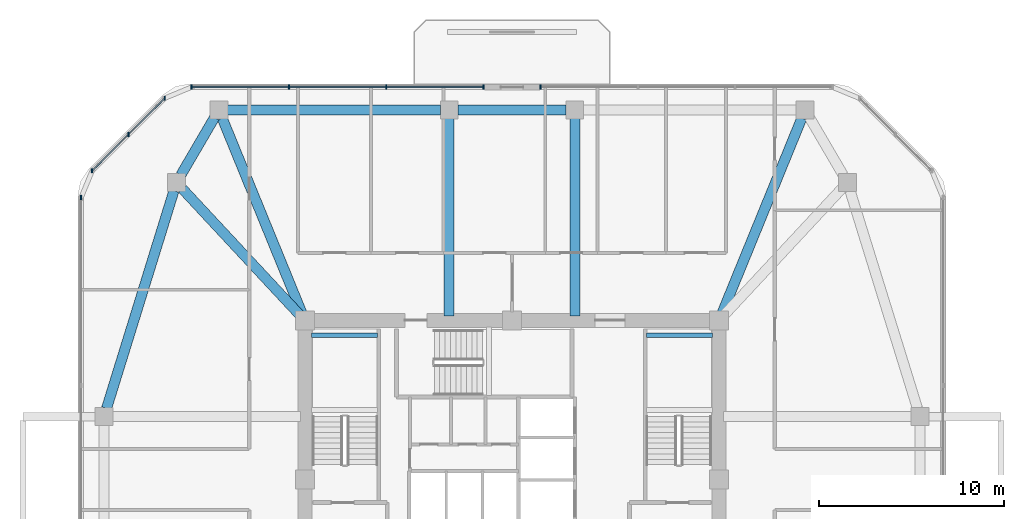
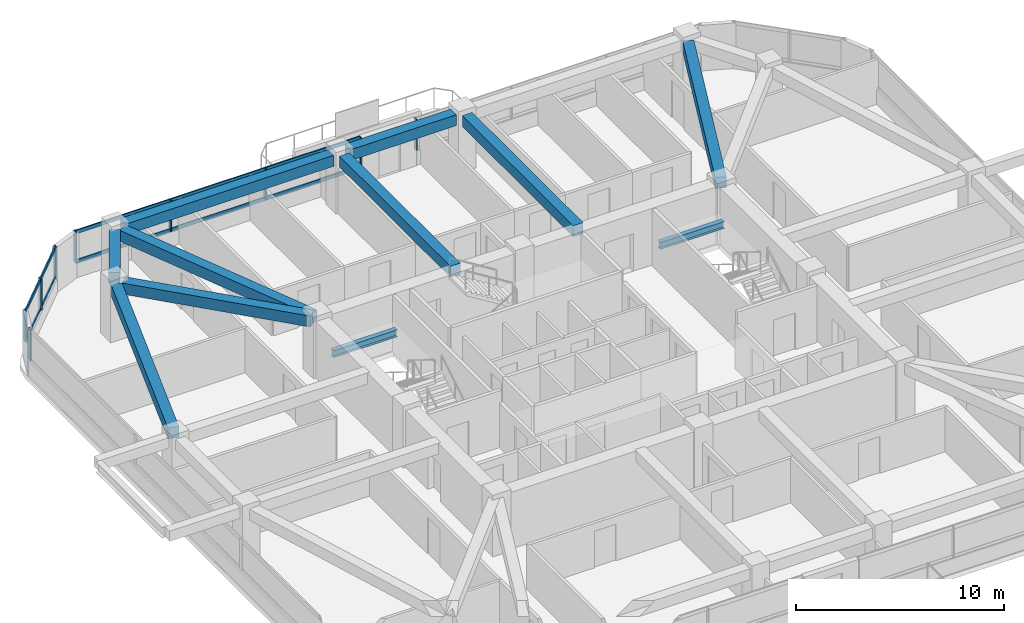
# One storey, part 4 of 12: 13 members, 11 beams, 4 elements without a shape of their own.
"""IFC4 building model written with IfcOpenShell, lengths in metres."""

import ifcopenshell
import ifcopenshell.guid

model = None  # the IFC model being written
_history = None  # IfcOwnerHistory: only IFC2X3 demands one
_inside = {}  # id of a spatial element -> (the spatial element, [elements in it])
_under = {}  # id of a project, library or spatial element -> (it, [spatial elements below it])
_declared = {}  # id of a project -> (the project, [libraries it declares])
_typed = {}  # id of a type object -> (the type object, [elements of that type])
_made_of = {}  # id of a material, layer set ... -> (it, [elements and type objects made of it])


def new_model(schema):
    """Start an empty IFC model of exactly this schema.

    Asked for "IFC4X3", IfcOpenShell would pick the latest addendum, in which some entities
    have other attributes; the version numbers below select the first issue.
    IFC2X3 requires an IfcOwnerHistory on every rooted entity: one is made here for all.
    """
    global model, _history
    if schema == "IFC4X3":
        model = ifcopenshell.file(schema_version=(4, 3, 0, 0))
    else:
        model = ifcopenshell.file(schema=schema)
    _inside.clear()
    _under.clear()
    _declared.clear()
    _typed.clear()
    _made_of.clear()
    _history = None
    if model.schema == "IFC2X3":
        org = make("IfcOrganization", Name="unknown")
        user = make(
            "IfcPersonAndOrganization",
            ThePerson=make("IfcPerson", FamilyName="unknown"),
            TheOrganization=org,
        )
        app = make(
            "IfcApplication",
            ApplicationDeveloper=org,
            Version="unknown",
            ApplicationFullName="unknown",
            ApplicationIdentifier="unknown",
        )
        _history = make(
            "IfcOwnerHistory",
            OwningUser=user,
            OwningApplication=app,
            ChangeAction="ADDED",
            CreationDate=0,
        )
    return model


def make(cls, **values):
    """One entity of the class cls with the attributes given. An attribute that is None is left unset."""
    return model.create_entity(
        cls, **{name: value for name, value in values.items() if value is not None}
    )


def rooted(cls, **values):
    """An entity with a GlobalId (a new one), such as an element, a storey or a relation."""
    return make(cls, GlobalId=ifcopenshell.guid.new(), OwnerHistory=_history, **values)


def si_unit(unit_type, name, prefix=None):
    """IfcSIUnit, for example si_unit("LENGTHUNIT", "METRE", prefix="MILLI")."""
    return make("IfcSIUnit", UnitType=unit_type, Prefix=prefix, Name=name)


def derived_unit(unit_type, elements):
    """IfcDerivedUnit: a product of units, each with its exponent."""
    return make(
        "IfcDerivedUnit",
        Elements=[
            make("IfcDerivedUnitElement", Unit=unit, Exponent=power)
            for unit, power in elements
        ],
        UnitType=unit_type,
    )


def assignment(units):
    """IfcUnitAssignment: the units of a project."""
    return None if units is None else make("IfcUnitAssignment", Units=units)


def point(xyz):
    """IfcCartesianPoint."""
    return None if xyz is None else make("IfcCartesianPoint", Coordinates=xyz)


def direction(xyz):
    """IfcDirection."""
    return None if xyz is None else make("IfcDirection", DirectionRatios=xyz)


def frame(location, z_axis=None, x_axis=None):
    """IfcAxis2Placement3D, a coordinate frame: its origin and axes. An axis left out is left unset."""
    return make(
        "IfcAxis2Placement3D",
        Location=point(location),
        Axis=direction(z_axis),
        RefDirection=direction(x_axis),
    )


def frame_2d(location, x_axis=None):
    """IfcAxis2Placement2D, a coordinate frame in the plane: its origin and x axis."""
    return make(
        "IfcAxis2Placement2D", Location=point(location), RefDirection=direction(x_axis)
    )


def origin():
    """The frame at (0, 0, 0) with its axes left unset."""
    return frame((0.0, 0.0, 0.0))


def origin_2d():
    """The frame at (0, 0) in the plane with its x axis left unset."""
    return frame_2d((0.0, 0.0))


def place(relative_to, where):
    """IfcLocalPlacement: puts the frame where relative to a parent placement (None: the world)."""
    return make(
        "IfcLocalPlacement", PlacementRelTo=relative_to, RelativePlacement=where
    )


def context(
    kind, dimensions, precision=None, world=None, true_north=None, identifier=None
):
    """IfcGeometricRepresentationContext, for example the 3D "Model" context."""
    return make(
        "IfcGeometricRepresentationContext",
        ContextIdentifier=identifier,
        ContextType=kind,
        CoordinateSpaceDimension=dimensions,
        Precision=precision,
        WorldCoordinateSystem=world,
        TrueNorth=true_north,
    )


def subcontext(parent, identifier, kind, view, scale=None):
    """IfcGeometricRepresentationSubContext, for example "Body" below "Model"."""
    return make(
        "IfcGeometricRepresentationSubContext",
        ContextIdentifier=identifier,
        ContextType=kind,
        ParentContext=parent,
        TargetScale=scale,
        TargetView=view,
    )


def project(units=None, contexts=None):
    """IfcProject with its units and contexts."""
    return rooted(
        "IfcProject",
        Name="project",
        RepresentationContexts=contexts,
        UnitsInContext=assignment(units),
    )


def spatial(cls, under=None, at=None, **own):
    """A site, building, storey or space (cls), placed at a placement, below another one or the project."""
    s = rooted(cls, ObjectPlacement=at, **own)
    if under is not None:
        _under.setdefault(under.id(), (under, []))[1].append(s)
    return s


def profile(cls, at=None, kind="AREA", **sizes):
    """A parametric profile (cls). Its sizes go by their IFC names, for example OverallWidth=200.0."""
    return make(cls, ProfileType=kind, Position=at, **sizes)


def rectangle(**sizes):
    """IfcRectangleProfileDef."""
    return profile("IfcRectangleProfileDef", **sizes)


def i_section(**sizes):
    """IfcIShapeProfileDef."""
    return profile("IfcIShapeProfileDef", **sizes)


def extrude(swept, where, along, depth):
    """IfcExtrudedAreaSolid: the profile swept, set in the frame where, extruded along a direction by depth."""
    return make(
        "IfcExtrudedAreaSolid",
        SweptArea=swept,
        Position=where,
        ExtrudedDirection=direction(along),
        Depth=depth,
    )


def shape(context_of_items, identifier, shape_type, items):
    """IfcShapeRepresentation: the items that make up one representation, for example the "Body"."""
    return make(
        "IfcShapeRepresentation",
        ContextOfItems=context_of_items,
        RepresentationIdentifier=identifier,
        RepresentationType=shape_type,
        Items=items,
    )


def material(Name=None, Category=None):
    """IfcMaterial."""
    return make("IfcMaterial", Name=Name, Category=Category)


def material_profile(
    of_material, cross_section, Name=None, Category=None, Priority=None
):
    """IfcMaterialProfile: a cross section and its material."""
    return make(
        "IfcMaterialProfile",
        Name=Name,
        Material=of_material,
        Profile=cross_section,
        Priority=Priority,
        Category=Category,
    )


def profile_set(profiles, Name=None, composite=None):
    """IfcMaterialProfileSet."""
    return make(
        "IfcMaterialProfileSet",
        Name=Name,
        MaterialProfiles=profiles,
        CompositeProfile=composite,
    )


def made_of(thing, what):
    """Note that an element or type object is made of a material, layer set ...; save() writes the relation."""
    if what is not None:
        _made_of.setdefault(what.id(), (what, []))[1].append(thing)
    return thing


def type_object(cls, material=None, **own):
    """A type object (cls), such as IfcWallType, which elements share."""
    return made_of(rooted(cls, **own), material)


def element(
    cls,
    number,
    at=None,
    inside=None,
    cuts=None,
    type_object=None,
    material=None,
    context=None,
    identifier="Body",
    shape_type=None,
    held_by="IfcProductDefinitionShape",
    body=None,
    shapes=None,
    **own,
):
    """One element of the class cls, such as IfcWall. Its Tag is "e" and its number.

    at: its placement. inside: the storey or other place that contains it. cuts: it is an
    opening in that element (IfcRelVoidsElement). A single representation is given by context,
    identifier, shape_type and body (its items); several are given by shapes. held_by: the class
    of the entity that holds the representations. save() writes the other relations.
    """
    e = rooted(cls, Tag="e%d" % number, ObjectPlacement=at, **own)
    if body is not None:
        shapes = [shape(context, identifier, shape_type, body)]
    if shapes is not None:
        e.Representation = make(held_by, Representations=shapes)
    if inside is not None:
        _inside.setdefault(inside.id(), (inside, []))[1].append(e)
    if cuts is not None:
        rooted(
            "IfcRelVoidsElement", RelatingBuildingElement=cuts, RelatedOpeningElement=e
        )
    if type_object is not None:
        _typed.setdefault(type_object.id(), (type_object, []))[1].append(e)
    return made_of(e, material)


def aggregate(whole, parts):
    """IfcRelAggregates: a whole, such as a stair, and the parts it consists of."""
    return rooted("IfcRelAggregates", RelatingObject=whole, RelatedObjects=parts)


def save(model, path):
    """Write the relations noted so far, then the file.

    IfcRelAggregates (storeys below a building ...), IfcRelContainedInSpatialStructure (elements
    in a storey), IfcRelDefinesByType, IfcRelAssociatesMaterial and IfcRelDeclares: one each for
    every whole, place, type object, material and project.
    """
    for whole, parts in _under.values():
        aggregate(whole, parts)
    for where, things in _inside.values():
        rooted(
            "IfcRelContainedInSpatialStructure",
            RelatedElements=things,
            RelatingStructure=where,
        )
    for kind, things in _typed.values():
        rooted("IfcRelDefinesByType", RelatedObjects=things, RelatingType=kind)
    for what, things in _made_of.values():
        rooted("IfcRelAssociatesMaterial", RelatedObjects=things, RelatingMaterial=what)
    for by, libraries in _declared.values():
        rooted("IfcRelDeclares", RelatingContext=by, RelatedDefinitions=libraries)
    model.write(path)


model = new_model("IFC4")

# Units and contexts
model_context = context("Model", 3, precision=1e-05, world=origin(), true_north=direction((0.0, 1.0)))
body_context = subcontext(model_context, "Body", "Model", "MODEL_VIEW")
ifc_project = project(units=[si_unit("LENGTHUNIT", "METRE"), si_unit("AREAUNIT", "SQUARE_METRE"), si_unit("VOLUMEUNIT", "CUBIC_METRE"), si_unit("PLANEANGLEUNIT", "RADIAN"), si_unit("MASSUNIT", "GRAM", prefix="KILO"), derived_unit("THERMALTRANSMITTANCEUNIT", [(si_unit("POWERUNIT", "WATT"), 1), (si_unit("LENGTHUNIT", "METRE"), -2), (si_unit("THERMODYNAMICTEMPERATUREUNIT", "KELVIN"), -1)])], contexts=[model_context])

# Site, building, storey
site_placement = place(None, origin())
site = spatial("IfcSite", under=ifc_project, at=site_placement, CompositionType="ELEMENT")
building_placement = place(site_placement, origin())
building = spatial("IfcBuilding", under=site, at=building_placement, Name="Koralith Skygarden Medical Center", CompositionType="ELEMENT")
storey_placement = place(building_placement, frame((0.0, 0.0, 152.820068359375)))
storey = spatial("IfcBuildingStorey", under=building, at=storey_placement, Name="L39", CompositionType="ELEMENT", Elevation=152.820068359375)

# Curtain wall, member
ifc_material_1 = material(Name="Clear Laminated Glass", Category="glass")
curtain_wall_type = type_object("IfcCurtainWallType", Name="CW-4 Zone 3 Waist High-Wind Curtain Wall", PredefinedType="NOTDEFINED", material=ifc_material_1)
curtain_wall_1_placement = place(storey_placement, origin())
curtain_wall_1 = element("IfcCurtainWall", 1, at=curtain_wall_1_placement, inside=storey, type_object=curtain_wall_type, Name="Curtain Wall CW-L39-N-L", PredefinedType="NOTDEFINED")
ifc_material_2 = material(Name="Aluminium 6063-T6", Category="aluminium")
ifc_material_profile_1 = material_profile(ifc_material_2, rectangle(XDim=0.076904296875, YDim=0.22998046875, at=origin_2d()), Name="MUL77X230")
ifc_profile_set_1 = profile_set([ifc_material_profile_1], Name="Aluminium 6063-T6")
member_type_1 = type_object("IfcMemberType", Name="CW-4 Extruded Mullion 77x230", PredefinedType="MULLION", material=ifc_profile_set_1)
member_1_placement = place(storey_placement, frame((38.541015625, 47.1201171875, 0.849853515625), z_axis=(0.0, 0.0, 1.0), x_axis=(1.0, 0.0, 0.0)))
member_1 = element("IfcMember", 2, at=member_1_placement, type_object=member_type_1, Name="CW-L39-N-L Mullion 4", PredefinedType="MULLION", context=body_context, shape_type="SweptSolid", body=[
    extrude(rectangle(XDim=0.076904296875, YDim=0.22998046875, at=origin_2d()), origin(), (0.0, 0.0, 1.0), 1.820068359375),
])
aggregate(curtain_wall_1, [member_1])

# Curtain wall, members
curtain_wall_2_placement = place(storey_placement, origin())
curtain_wall_2 = element("IfcCurtainWall", 3, at=curtain_wall_2_placement, inside=storey, type_object=curtain_wall_type, Name="Curtain Wall CW-L39-N-R", PredefinedType="NOTDEFINED")
member_2_placement = place(storey_placement, frame((35.4609375, 47.1201171875, 0.849853515625), z_axis=(0.0, 0.0, 1.0), x_axis=(1.0, 0.0, 0.0)))
member_2 = element("IfcMember", 4, at=member_2_placement, type_object=member_type_1, Name="CW-L39-N-R Mullion 1", PredefinedType="MULLION", context=body_context, shape_type="SweptSolid", body=[
    extrude(rectangle(XDim=0.076904296875, YDim=0.22998046875, at=origin_2d()), origin(), (0.0, 0.0, 1.0), 1.820068359375),
])
member_3_placement = place(storey_placement, frame((30.197998046875, 47.1201171875, 0.849853515625), z_axis=(0.0, 0.0, 1.0), x_axis=(1.0, 0.0, 0.0)))
member_3 = element("IfcMember", 5, at=member_3_placement, type_object=member_type_1, Name="CW-L39-N-R Mullion 2", PredefinedType="MULLION", context=body_context, shape_type="SweptSolid", body=[
    extrude(rectangle(XDim=0.076904296875, YDim=0.22998046875, at=origin_2d()), origin(), (0.0, 0.0, 1.0), 1.820068359375),
])
member_4_placement = place(storey_placement, frame((24.93408203125, 47.1201171875, 0.849853515625), z_axis=(0.0, 0.0, 1.0), x_axis=(1.0, 0.0, 0.0)))
member_4 = element("IfcMember", 6, at=member_4_placement, type_object=member_type_1, Name="CW-L39-N-R Mullion 3", PredefinedType="MULLION", context=body_context, shape_type="SweptSolid", body=[
    extrude(rectangle(XDim=0.076904296875, YDim=0.22998046875, at=origin_2d()), origin(), (0.0, 0.0, 1.0), 1.820068359375),
])
member_5_placement = place(storey_placement, frame((19.6708984375, 47.1201171875, 0.849853515625), z_axis=(0.0, 0.0, 1.0), x_axis=(1.0, 0.0, 0.0)))
member_5 = element("IfcMember", 7, at=member_5_placement, type_object=member_type_1, Name="CW-L39-N-R Mullion 4", PredefinedType="MULLION", context=body_context, shape_type="SweptSolid", body=[
    extrude(rectangle(XDim=0.076904296875, YDim=0.22998046875, at=origin_2d()), origin(), (0.0, 0.0, 1.0), 1.820068359375),
])

curtain_wall_3_placement = place(storey_placement, origin())
curtain_wall_3 = element("IfcCurtainWall", 8, at=curtain_wall_3_placement, inside=storey, type_object=curtain_wall_type, Name="Curtain Wall CW-L39-NW", PredefinedType="NOTDEFINED")
member_6_placement = place(storey_placement, frame((18.219970703125, 46.51904296875, 0.849853515625), z_axis=(0.0, 0.0, 1.0), x_axis=(1.0, 0.0, 0.0)))
member_6 = element("IfcMember", 9, at=member_6_placement, type_object=member_type_1, Name="CW-L39-NW Mullion 1", PredefinedType="MULLION", context=body_context, shape_type="SweptSolid", body=[
    extrude(rectangle(XDim=0.076904296875, YDim=0.22998046875, at=origin_2d()), origin(), (0.0, 0.0, 1.0), 1.820068359375),
])
member_7_placement = place(storey_placement, frame((16.258056640625, 44.556884765625, 0.849853515625), z_axis=(0.0, 0.0, 1.0), x_axis=(1.0, 0.0, 0.0)))
member_7 = element("IfcMember", 10, at=member_7_placement, type_object=member_type_1, Name="CW-L39-NW Mullion 2", PredefinedType="MULLION", context=body_context, shape_type="SweptSolid", body=[
    extrude(rectangle(XDim=0.076904296875, YDim=0.22998046875, at=origin_2d()), origin(), (0.0, 0.0, 1.0), 1.820068359375),
])
member_8_placement = place(storey_placement, frame((14.297119140625, 42.595947265625, 0.849853515625), z_axis=(0.0, 0.0, 1.0), x_axis=(1.0, 0.0, 0.0)))
member_8 = element("IfcMember", 11, at=member_8_placement, type_object=member_type_1, Name="CW-L39-NW Mullion 3", PredefinedType="MULLION", context=body_context, shape_type="SweptSolid", body=[
    extrude(rectangle(XDim=0.076904296875, YDim=0.22998046875, at=origin_2d()), origin(), (0.0, 0.0, 1.0), 1.820068359375),
])

# Curtain wall, member
curtain_wall_4_placement = place(storey_placement, origin())
curtain_wall_4 = element("IfcCurtainWall", 12, at=curtain_wall_4_placement, inside=storey, type_object=curtain_wall_type, Name="Curtain Wall CW-L39-W", PredefinedType="NOTDEFINED")
member_9_placement = place(storey_placement, frame((13.696044921875, 41.14501953125, 0.849853515625), z_axis=(0.0, 0.0, 1.0), x_axis=(1.0, 0.0, 0.0)))
member_9 = element("IfcMember", 13, at=member_9_placement, type_object=member_type_1, Name="CW-L39-W Mullion 1", PredefinedType="MULLION", context=body_context, shape_type="SweptSolid", body=[
    extrude(rectangle(XDim=0.076904296875, YDim=0.22998046875, at=origin_2d()), origin(), (0.0, 0.0, 1.0), 1.820068359375),
])
aggregate(curtain_wall_4, [member_9])

# Member
ifc_material_profile_2 = material_profile(ifc_material_2, rectangle(XDim=0.072021484375, YDim=0.20703125, at=origin_2d()), Name="TRN72X207")
ifc_profile_set_2 = profile_set([ifc_material_profile_2], Name="Aluminium 6063-T6")
member_type_2 = type_object("IfcMemberType", Name="CW-4 Thermal Transom 72x207", PredefinedType="USERDEFINED", material=ifc_profile_set_2)
member_10_placement = place(storey_placement, frame((35.4609375, 47.1201171875, 0.89990234375), z_axis=(-1.0, 0.0, 0.0), x_axis=(0.0, -1.0, 0.0)))
member_10 = element("IfcMember", 14, at=member_10_placement, type_object=member_type_2, Name="CW-L39-N-R Transom 1", ObjectType="TRANSOM", PredefinedType="USERDEFINED", context=body_context, shape_type="SweptSolid", body=[
    extrude(rectangle(XDim=0.072021484375, YDim=0.20703125, at=origin_2d()), origin(), (0.0, 0.0, 1.0), 15.7900390625),
])

member_11_placement = place(storey_placement, frame((35.4609375, 47.1201171875, 2.619873046875), z_axis=(-1.0, 0.0, 0.0), x_axis=(0.0, -1.0, 0.0)))
member_11 = element("IfcMember", 15, at=member_11_placement, type_object=member_type_2, Name="CW-L39-N-R Transom 2", ObjectType="TRANSOM", PredefinedType="USERDEFINED", context=body_context, shape_type="SweptSolid", body=[
    extrude(rectangle(XDim=0.072021484375, YDim=0.20703125, at=origin_2d()), origin(), (0.0, 0.0, 1.0), 15.7900390625),
])

aggregate(curtain_wall_2, [member_2, member_3, member_4, member_5, member_10, member_11])

member_12_placement = place(storey_placement, frame((18.219970703125, 46.51904296875, 0.89990234375), z_axis=(-0.707084777957, -0.707128783731, 0.0), x_axis=(0.707128783731, -0.707084777957, 0.0)))
member_12 = element("IfcMember", 16, at=member_12_placement, type_object=member_type_2, Name="CW-L39-NW Transom 1", ObjectType="TRANSOM", PredefinedType="USERDEFINED", context=body_context, shape_type="SweptSolid", body=[
    extrude(rectangle(XDim=0.072021484375, YDim=0.20703125, at=origin_2d()), origin(), (0.0, 0.0, 1.0), 5.5478515625),
])

member_13_placement = place(storey_placement, frame((18.219970703125, 46.51904296875, 2.619873046875), z_axis=(-0.707084777957, -0.707128783731, 0.0), x_axis=(0.707128783731, -0.707084777957, 0.0)))
member_13 = element("IfcMember", 17, at=member_13_placement, type_object=member_type_2, Name="CW-L39-NW Transom 2", ObjectType="TRANSOM", PredefinedType="USERDEFINED", context=body_context, shape_type="SweptSolid", body=[
    extrude(rectangle(XDim=0.072021484375, YDim=0.20703125, at=origin_2d()), origin(), (0.0, 0.0, 1.0), 5.5478515625),
])

aggregate(curtain_wall_3, [member_6, member_7, member_8, member_12, member_13])

# Beams
ifc_material_3 = material(Name="Steel ASTM A992 Grade 50", Category="steel")
ifc_material_profile_3 = material_profile(ifc_material_3, i_section(OverallWidth=0.260009765625, OverallDepth=0.4150390625, WebThickness=0.010009765625, FlangeThickness=0.016845703125, at=origin_2d()), Name="W16X67")
ifc_profile_set_3 = profile_set([ifc_material_profile_3], Name="Steel ASTM A992 Grade 50")
beam_type_1 = type_object("IfcBeamType", Name="Clinical Floor Joist W16X67", PredefinedType="JOIST", material=ifc_profile_set_3)
for number, where, z_axis, x_axis, name in (
    (18, (26.155029296875, 33.699951171875, 1.392822265625), (1.0, 0.0, 0.0), (0.0, 1.0, 0.0), "L39 Stair ST1 Half-Landing Support Beam 1B"),
    (19, (44.280029296875, 33.699951171875, 1.392822265625), (1.0, 0.0, 0.0), (0.0, 1.0, 0.0), "L39 Stair ST2 Half-Landing Support Beam 1B"),
):
    element("IfcBeam", number, at=place(storey_placement, frame(where, z_axis=z_axis, x_axis=x_axis)), inside=storey, type_object=beam_type_1, Name=name, PredefinedType="JOIST", context=body_context, shape_type="SweptSolid", body=[
        extrude(i_section(OverallWidth=0.260009765625, OverallDepth=0.4150390625, WebThickness=0.010009765625, FlangeThickness=0.016845703125, at=origin_2d()), origin(), (0.0, 0.0, 1.0), 3.56494140625),
    ])
ifc_material_4 = material(Name="Concrete C45/55", Category="concrete")
ifc_material_profile_4 = material_profile(ifc_material_4, rectangle(XDim=0.550048828125, YDim=0.639892578125, at=origin_2d()), Name="RCB550X640")
ifc_profile_set_4 = profile_set([ifc_material_profile_4], Name="Concrete C45/55")
beam_type_2 = type_object("IfcBeamType", Name="Radial Collector Beam RCB550X640", PredefinedType="BEAM", material=ifc_profile_set_4)
beam_1_placement = place(storey_placement, frame((48.294921875, 34.73095703125, 3.0), z_axis=(0.378344544364, 0.92566484526, 0.0), x_axis=(-0.92566484526, 0.378344544364, 0.0)))
element("IfcBeam", 20, at=beam_1_placement, inside=storey, type_object=beam_type_2, Name="L39 Radial Collector Beam RB-11", PredefinedType="BEAM", context=body_context, shape_type="SweptSolid", body=[
    extrude(rectangle(XDim=0.550048828125, YDim=0.639892578125, at=origin_2d()), origin(), (0.0, 0.0, 1.0), 11.574462890625),
])
for number, where, z_axis, x_axis, name in (
    (21, (40.39990234375, 34.75, 3.0), (0.0, 1.0, 0.0), (-1.0, 0.0, 0.0), "L39 Radial Collector Beam RB-12"),
    (22, (33.60009765625, 34.75, 3.0), (0.0, 1.0, 0.0), (-1.0, 0.0, 0.0), "L39 Radial Collector Beam RB-13"),
):
    element("IfcBeam", number, at=place(storey_placement, frame(where, z_axis=z_axis, x_axis=x_axis)), inside=storey, type_object=beam_type_2, Name=name, PredefinedType="BEAM", context=body_context, shape_type="SweptSolid", body=[
        extrude(rectangle(XDim=0.550048828125, YDim=0.639892578125, at=origin_2d()), origin(), (0.0, 0.0, 1.0), 10.659912109375),
    ])
beam_2_placement = place(storey_placement, frame((25.705078125, 34.73095703125, 3.0), z_axis=(-0.378344544364, 0.92566484526, 0.0), x_axis=(-0.92566484526, -0.378344544364, 0.0)))
element("IfcBeam", 23, at=beam_2_placement, inside=storey, type_object=beam_type_2, Name="L39 Radial Collector Beam RB-14", PredefinedType="BEAM", context=body_context, shape_type="SweptSolid", body=[
    extrude(rectangle(XDim=0.550048828125, YDim=0.639892578125, at=origin_2d()), origin(), (0.0, 0.0, 1.0), 11.574462890625),
])
beam_3_placement = place(storey_placement, frame((25.6298828125, 34.68310546875, 3.0), z_axis=(-0.681369011591, 0.731940072713, 0.0), x_axis=(-0.731940072713, -0.681369011591, 0.0)))
element("IfcBeam", 24, at=beam_3_placement, inside=storey, type_object=beam_type_2, Name="L39 Radial Collector Beam RB-15", PredefinedType="BEAM", context=body_context, shape_type="SweptSolid", body=[
    extrude(rectangle(XDim=0.550048828125, YDim=0.639892578125, at=origin_2d()), origin(), (0.0, 0.0, 1.0), 9.471923828125),
])
ifc_material_profile_5 = material_profile(ifc_material_4, rectangle(XDim=0.550048828125, YDim=0.639892578125, at=origin_2d()), Name="RCB550X640")
ifc_profile_set_5 = profile_set([ifc_material_profile_5], Name="Concrete C45/55")
beam_type_3 = type_object("IfcBeamType", Name="Zone 2-3 Spandrel Beam RCB550X640", PredefinedType="SPANDREL", material=ifc_profile_set_5)
beam_4_placement = place(storey_placement, frame((39.929931640625, 45.8798828125, 3.0), z_axis=(-1.0, 0.0, 0.0), x_axis=(0.0, -1.0, 0.0)))
element("IfcBeam", 25, at=beam_4_placement, inside=storey, type_object=beam_type_3, Name="L39 Perimeter Spandrel Beam SP-12", PredefinedType="SPANDREL", context=body_context, shape_type="SweptSolid", body=[
    extrude(rectangle(XDim=0.550048828125, YDim=0.639892578125, at=origin_2d()), origin(), (0.0, 0.0, 1.0), 5.85986328125),
])
beam_5_placement = place(storey_placement, frame((33.1298828125, 45.8798828125, 3.0), z_axis=(-1.0, 0.0, 0.0), x_axis=(0.0, -1.0, 0.0)))
element("IfcBeam", 26, at=beam_5_placement, inside=storey, type_object=beam_type_3, Name="L39 Perimeter Spandrel Beam SP-13", PredefinedType="SPANDREL", context=body_context, shape_type="SweptSolid", body=[
    extrude(rectangle(XDim=0.550048828125, YDim=0.639892578125, at=origin_2d()), origin(), (0.0, 0.0, 1.0), 11.511962890625),
])
beam_6_placement = place(storey_placement, frame((20.910888671875, 45.47412109375, 3.0), z_axis=(-0.504861391295, -0.863200426077, 0.0), x_axis=(0.863200426077, -0.504861391295, 0.0)))
element("IfcBeam", 27, at=beam_6_placement, inside=storey, type_object=beam_type_3, Name="L39 Perimeter Spandrel Beam SP-14", PredefinedType="SPANDREL", context=body_context, shape_type="SweptSolid", body=[
    extrude(rectangle(XDim=0.550048828125, YDim=0.639892578125, at=origin_2d()), origin(), (0.0, 0.0, 1.0), 3.600830078125),
])
beam_7_placement = place(storey_placement, frame((18.717041015625, 41.510986328125, 3.0), z_axis=(-0.295793585147, -0.955251880389, 0.0), x_axis=(0.955251880389, -0.295793585147, 0.0)))
element("IfcBeam", 28, at=beam_7_placement, inside=storey, type_object=beam_type_3, Name="L39 Perimeter Spandrel Beam SP-15", PredefinedType="SPANDREL", context=body_context, shape_type="SweptSolid", body=[
    extrude(rectangle(XDim=0.550048828125, YDim=0.639892578125, at=origin_2d()), origin(), (0.0, 0.0, 1.0), 12.31298828125),
])

save(model, "model.ifc")
